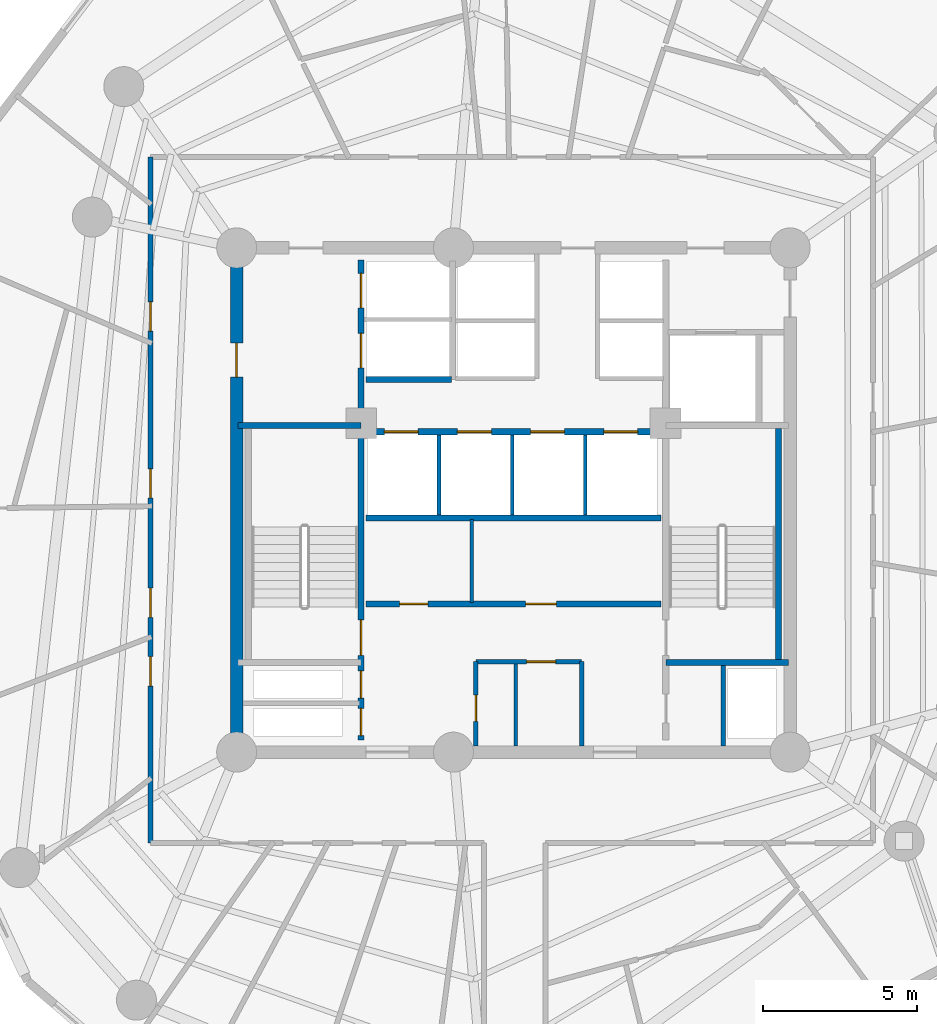
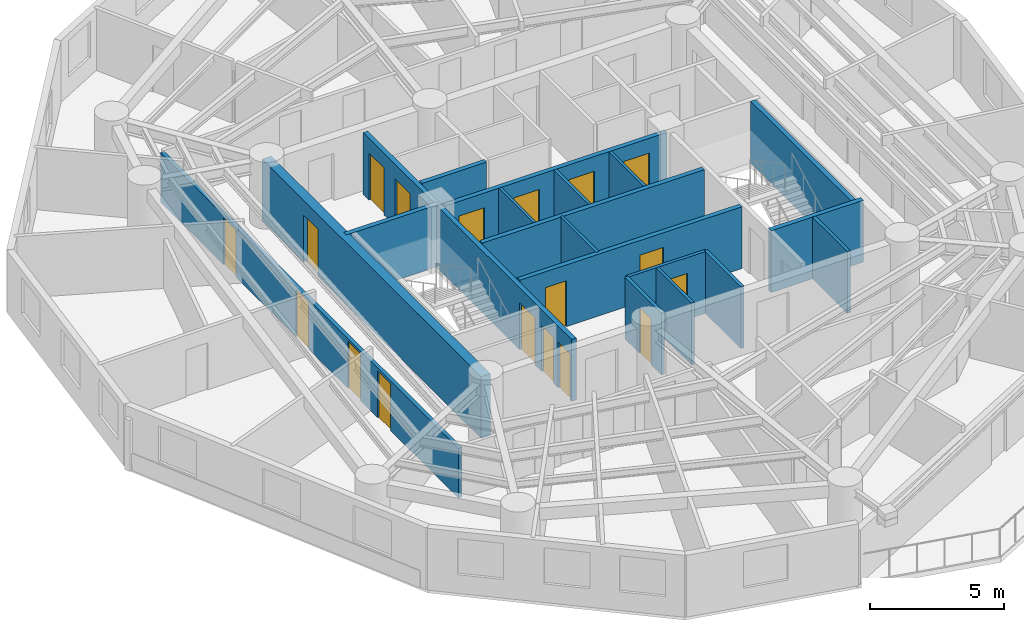
# One storey, part 4 of 10: 19 walls, 18 doors, 18 openings.
"""IFC4 building model written with IfcOpenShell, lengths in metres."""

from ifc_helpers import new_model, si_unit, direction, frame, frame_2d, origin, origin_with_axes, place, context, subcontext, project, spatial, rectangle, extrude, source, transform, mapped, material, layer, layer_set, type_object, element, fill, save


model = new_model("IFC4")

# Units and contexts
model_context = context("Model", 3, precision=1e-05, world=origin(), true_north=direction((0.0, 1.0)))
body_context = subcontext(model_context, "Body", "Model", "MODEL_VIEW")
ifc_project = project(units=[si_unit("LENGTHUNIT", "METRE"), si_unit("AREAUNIT", "SQUARE_METRE"), si_unit("VOLUMEUNIT", "CUBIC_METRE"), si_unit("PLANEANGLEUNIT", "RADIAN"), si_unit("MASSUNIT", "GRAM", prefix="KILO")], contexts=[model_context])

# Site, building, storey
site_placement = place(None, origin())
site = spatial("IfcSite", under=ifc_project, at=site_placement, CompositionType="ELEMENT")
building_placement = place(site_placement, origin())
building = spatial("IfcBuilding", under=site, at=building_placement, Name="Karkom Vertical University and Central Library", CompositionType="ELEMENT")
storey_placement = place(building_placement, frame((0.0, 0.0, 171.800048828125)))
storey = spatial("IfcBuildingStorey", under=building, at=storey_placement, Name="L49", CompositionType="ELEMENT", Elevation=171.800048828125)

# Wall, openings, doors
ifc_material_1 = material(Name="Insulated metal-stud drywall 160mm", Category="gypsum")
ifc_layer_1 = layer(ifc_material_1, 0.159912109375)
ifc_layer_set_1 = layer_set([ifc_layer_1], Name="Insulated metal-stud drywall 160mm")
wall_type_1 = type_object("IfcWallType", Name="INT-WL-COR-160", PredefinedType="PARTITIONING", material=ifc_layer_set_1)
wall_1_placement = place(storey_placement, frame((16.699951171875, 15.35009765625, 0.0), z_axis=(0.0, 0.0, 1.0), x_axis=(0.0, 1.0, 0.0)))
wall_1 = element("IfcWall", 1, at=wall_1_placement, inside=storey, type_object=wall_type_1, Name="Level 49 Interior Partition Wall L49-CORW-CW-002", PredefinedType="PARTITIONING", context=body_context, shape_type="SweptSolid", body=[
    extrude(rectangle(XDim=22.2998046875, YDim=0.159912109375, at=frame_2d((11.14990234375, 0.0))), origin(), (0.0, 0.0, 1.0), 2.27490234375),
])
opening_1_placement = place(wall_1_placement, frame((7.330078125, 0.0, 0.0)))
opening_1 = element("IfcOpeningElement", 2, at=opening_1_placement, cuts=wall_1, Name="Opening D-RM1", PredefinedType="OPENING", context=body_context, shape_type="SweptSolid", body=[
    extrude(rectangle(XDim=0.949951171875, YDim=2.14990234375, at=frame_2d((0.47509765625, 1.074951171875))), frame((0.0, 0.08984375, 0.0), z_axis=(0.0, -1.0, 0.0), x_axis=(1.0, 0.0, 0.0)), (0.0, 0.0, 1.0), 0.179931640625),
])
opening_2_placement = place(wall_1_placement, frame((5.10009765625, 0.0, 0.0)))
opening_2 = element("IfcOpeningElement", 3, at=opening_2_placement, cuts=wall_1, Name="Opening FD-RM2", PredefinedType="OPENING", context=body_context, shape_type="SweptSolid", body=[
    extrude(rectangle(XDim=0.9599609375, YDim=2.14990234375, at=frame_2d((0.47998046875, 1.074951171875))), frame((0.0, 0.08984375, 0.0), z_axis=(0.0, -1.0, 0.0), x_axis=(1.0, 0.0, 0.0)), (0.0, 0.0, 1.0), 0.179931640625),
])
opening_3_placement = place(wall_1_placement, frame((16.639892578125, 0.0, 0.0)))
opening_3 = element("IfcOpeningElement", 4, at=opening_3_placement, cuts=wall_1, Name="Opening D-RM1", PredefinedType="OPENING", context=body_context, shape_type="SweptSolid", body=[
    extrude(rectangle(XDim=0.949951171875, YDim=2.14990234375, at=frame_2d((0.47509765625, 1.074951171875))), frame((0.0, 0.08984375, 0.0), z_axis=(0.0, -1.0, 0.0), x_axis=(1.0, 0.0, 0.0)), (0.0, 0.0, 1.0), 0.179931640625),
])
opening_4_placement = place(wall_1_placement, frame((11.215087890625, 0.0, 0.0)))
opening_4 = element("IfcOpeningElement", 5, at=opening_4_placement, cuts=wall_1, Name="Opening D-RM1", PredefinedType="OPENING", context=body_context, shape_type="SweptSolid", body=[
    extrude(rectangle(XDim=0.949951171875, YDim=2.14990234375, at=frame_2d((0.47509765625, 1.074951171875))), frame((0.0, 0.08984375, 0.0), z_axis=(0.0, -1.0, 0.0), x_axis=(1.0, 0.0, 0.0)), (0.0, 0.0, 1.0), 0.179931640625),
])
ifc_material_2 = material(Name="Fire-rated oak veneer door", Category="wood")
door_type_1 = type_object("IfcDoorType", Name="INT-DR-FRM2", OperationType="NOTDEFINED", PredefinedType="DOOR", material=ifc_material_2)
shared_shape_1 = source(origin_with_axes(), body_context, "Body", "SweptSolid", [
    extrude(rectangle(XDim=0.9599609375, YDim=2.14990234375, at=frame_2d((0.47998046875, 1.074951171875))), frame((0.0, 0.02490234375, 0.0), z_axis=(0.0, -1.0, 0.0), x_axis=(1.0, 0.0, 0.0)), (0.0, 0.0, 1.0), 0.050048828125),
])
door_1_placement = place(opening_2_placement, origin())
door_1 = element("IfcDoor", 6, at=door_1_placement, inside=storey, type_object=door_type_1, Name="Level 49 Room Entry Door 010", OperationType="SINGLE_SWING_LEFT", OverallHeight=2.14990234375, OverallWidth=0.9599609375, PredefinedType="DOOR", context=body_context, shape_type="MappedRepresentation", body=[
    mapped(shared_shape_1, transform((0.0, 0.0, 0.0), scale=1.0)),
])
fill(opening_2, door_1)
ifc_material_3 = material(Name="Solid-core oak veneer door", Category="wood")
door_type_2 = type_object("IfcDoorType", Name="INT-DR-RM1", OperationType="NOTDEFINED", PredefinedType="DOOR", material=ifc_material_3)
shared_shape_2 = source(origin_with_axes(), body_context, "Body", "SweptSolid", [
    extrude(rectangle(XDim=0.949951171875, YDim=2.14990234375, at=frame_2d((0.47509765625, 1.074951171875))), frame((0.0, 0.02490234375, 0.0), z_axis=(0.0, -1.0, 0.0), x_axis=(1.0, 0.0, 0.0)), (0.0, 0.0, 1.0), 0.050048828125),
])
door_2_placement = place(opening_1_placement, origin())
door_2 = element("IfcDoor", 7, at=door_2_placement, inside=storey, type_object=door_type_2, Name="Level 49 Room Entry Door 000", OperationType="SINGLE_SWING_RIGHT", OverallHeight=2.14990234375, OverallWidth=0.949951171875, PredefinedType="DOOR", context=body_context, shape_type="MappedRepresentation", body=[
    mapped(shared_shape_2, transform((0.0, 0.0, 0.0), scale=1.0)),
])
fill(opening_1, door_2)
door_3_placement = place(opening_3_placement, origin())
door_3 = element("IfcDoor", 8, at=door_3_placement, inside=storey, type_object=door_type_2, Name="Level 49 Room Entry Door 230", OperationType="SINGLE_SWING_LEFT", OverallHeight=2.14990234375, OverallWidth=0.949951171875, PredefinedType="DOOR", context=body_context, shape_type="MappedRepresentation", body=[
    mapped(shared_shape_2, transform((0.0, 0.0, 0.0), scale=1.0)),
])
fill(opening_3, door_3)
door_4_placement = place(opening_4_placement, origin())
door_4 = element("IfcDoor", 9, at=door_4_placement, inside=storey, type_object=door_type_2, Name="Level 49 Room Entry Door 250", OperationType="SINGLE_SWING_RIGHT", OverallHeight=2.14990234375, OverallWidth=0.949951171875, PredefinedType="DOOR", context=body_context, shape_type="MappedRepresentation", body=[
    mapped(shared_shape_2, transform((0.0, 0.0, 0.0), scale=1.0)),
])
fill(opening_4, door_4)

# Walls
ifc_material_4 = material(Name="Moisture-resistant drywall 120mm", Category="gypsum")
ifc_layer_2 = layer(ifc_material_4, 0.1201171875)
ifc_layer_set_2 = layer_set([ifc_layer_2], Name="Moisture-resistant drywall 120mm")
wall_type_2 = type_object("IfcWallType", Name="INT-WL-INT-120", PredefinedType="PARTITIONING", material=ifc_layer_set_2)
wall_2_placement = place(storey_placement, frame((27.14990234375, 23.169921875, 0.0), z_axis=(0.0, 0.0, 1.0), x_axis=(0.0, 1.0, 0.0)))
element("IfcWall", 10, at=wall_2_placement, inside=storey, type_object=wall_type_2, Name="Level 49 Interior Partition Wall L49-CW-B1-K2", PredefinedType="PARTITIONING", context=body_context, shape_type="SweptSolid", body=[
    extrude(rectangle(XDim=2.7001953125, YDim=0.1201171875, at=frame_2d((1.35009765625, 0.0))), origin(), (0.0, 0.0, 1.0), 2.824951171875),
])
wall_3_placement = place(storey_placement, frame((28.580078125, 18.507080078125, 0.0), z_axis=(0.0, 0.0, 1.0), x_axis=(0.0, 1.0, 0.0)))
element("IfcWall", 11, at=wall_3_placement, inside=storey, type_object=wall_type_2, Name="Level 49 Interior Partition Wall L49-CW-K2-DIV", PredefinedType="PARTITIONING", context=body_context, shape_type="SweptSolid", body=[
    extrude(rectangle(XDim=2.66162109375, YDim=0.1201171875, at=frame_2d((1.330810546875, 0.0))), origin(), (0.0, 0.0, 1.0), 2.824951171875),
])
ifc_layer_3 = layer(ifc_material_4, 0.1201171875)
ifc_layer_set_3 = layer_set([ifc_layer_3], Name="Moisture-resistant drywall 120mm")
wall_type_3 = type_object("IfcWallType", Name="INT-WL-INT-120H", PredefinedType="PARTITIONING", material=ifc_layer_set_3)
for number, where, z_axis, x_axis, name in (
    (12, (26.080078125, 26.02001953125, 0.0), (0.0, 0.0, 1.0), (0.0, 1.0, 0.0), "Level 49 Interior Partition Wall L49-CW-PM-DIV1"),
    (13, (28.4599609375, 26.02001953125, 0.0), (0.0, 0.0, 1.0), (0.0, 1.0, 0.0), "Level 49 Interior Partition Wall L49-CW-PM-DIV2"),
    (14, (30.840087890625, 26.02001953125, 0.0), (0.0, 0.0, 1.0), (0.0, 1.0, 0.0), "Level 49 Interior Partition Wall L49-CW-PM-DIV3"),
):
    element("IfcWall", number, at=place(storey_placement, frame(where, z_axis=z_axis, x_axis=x_axis)), inside=storey, type_object=wall_type_3, Name=name, PredefinedType="PARTITIONING", context=body_context, shape_type="SweptSolid", body=[
        extrude(rectangle(XDim=2.60009765625, YDim=0.1201171875, at=frame_2d((1.300048828125, 0.0))), origin(), (0.0, 0.0, 1.0), 2.824951171875),
    ])

# Wall, opening, door
ifc_material_5 = material(Name="Metal-stud gypsum partition 140mm", Category="gypsum")
ifc_layer_4 = layer(ifc_material_5, 0.139892578125)
ifc_layer_set_4 = layer_set([ifc_layer_4], Name="Metal-stud gypsum partition 140mm")
wall_type_4 = type_object("IfcWallType", Name="INT-WL-SUB-140", PredefinedType="PARTITIONING", material=ifc_layer_set_4)
wall_4_placement = place(storey_placement, frame((27.280029296875, 21.239990234375, 0.0), z_axis=(0.0, 0.0, 1.0), x_axis=(1.0, 0.0, 0.0)))
wall_4 = element("IfcWall", 15, at=wall_4_placement, inside=storey, type_object=wall_type_4, Name="Level 49 Interior Partition Wall L49-CW-KBAY-N", PredefinedType="PARTITIONING", context=body_context, shape_type="SweptSolid", body=[
    extrude(rectangle(XDim=3.43994140625, YDim=0.139892578125, at=frame_2d((1.719970703125, 0.0))), origin(), (0.0, 0.0, 1.0), 2.824951171875),
])
opening_5_placement = place(wall_4_placement, frame((1.64990234375, 0.0, 0.0)))
opening_5 = element("IfcOpeningElement", 16, at=opening_5_placement, cuts=wall_4, Name="Opening D-WC1", PredefinedType="OPENING", context=body_context, shape_type="SweptSolid", body=[
    extrude(rectangle(XDim=0.93994140625, YDim=2.10009765625, at=frame_2d((0.469970703125, 1.050048828125))), frame((0.0, 0.080078125, 0.0), z_axis=(0.0, -1.0, 0.0), x_axis=(1.0, 0.0, 0.0)), (0.0, 0.0, 1.0), 0.159912109375),
])
ifc_material_6 = material(Name="Fire-rated laminate moisture-resistant door", Category="wood")
door_type_3 = type_object("IfcDoorType", Name="INT-DR-WC1", OperationType="NOTDEFINED", PredefinedType="DOOR", material=ifc_material_6)
shared_shape_3 = source(origin_with_axes(), body_context, "Body", "SweptSolid", [
    extrude(rectangle(XDim=0.93994140625, YDim=2.10009765625, at=frame_2d((0.469970703125, 1.050048828125))), frame((0.0, 0.02490234375, 0.0), z_axis=(0.0, -1.0, 0.0), x_axis=(1.0, 0.0, 0.0)), (0.0, 0.0, 1.0), 0.050048828125),
])
door_5_placement = place(opening_5_placement, origin())
door_5 = element("IfcDoor", 17, at=door_5_placement, inside=storey, type_object=door_type_3, Name="Level 49 Staff WC Door", OperationType="SINGLE_SWING_RIGHT", OverallHeight=2.10009765625, OverallWidth=0.93994140625, PredefinedType="DOOR", context=body_context, shape_type="MappedRepresentation", body=[
    mapped(shared_shape_3, transform((0.0, 0.0, 0.0), scale=1.0)),
])
fill(opening_5, door_5)

wall_5_placement = place(storey_placement, frame((27.280029296875, 18.507080078125, 0.0), z_axis=(0.0, 0.0, 1.0), x_axis=(0.0, 1.0, 0.0)))
wall_5 = element("IfcWall", 18, at=wall_5_placement, inside=storey, type_object=wall_type_4, Name="Level 49 Interior Partition Wall L49-CW-KBAY-W", PredefinedType="PARTITIONING", context=body_context, shape_type="SweptSolid", body=[
    extrude(rectangle(XDim=2.73291015625, YDim=0.139892578125, at=frame_2d((1.366455078125, 0.0))), origin(), (0.0, 0.0, 1.0), 2.824951171875),
])
opening_6_placement = place(wall_5_placement, frame((0.7900390625, 0.0, 0.0)))
opening_6 = element("IfcOpeningElement", 19, at=opening_6_placement, cuts=wall_5, Name="Opening D-BATH", PredefinedType="OPENING", context=body_context, shape_type="SweptSolid", body=[
    extrude(rectangle(XDim=0.860107421875, YDim=2.10009765625, at=frame_2d((0.43017578125, 1.050048828125))), frame((0.0, 0.080078125, 0.0), z_axis=(0.0, -1.0, 0.0), x_axis=(1.0, 0.0, 0.0)), (0.0, 0.0, 1.0), 0.159912109375),
])
ifc_material_7 = material(Name="Moisture-resistant oak door", Category="wood")
door_type_4 = type_object("IfcDoorType", Name="INT-DR-BATH", OperationType="NOTDEFINED", PredefinedType="DOOR", material=ifc_material_7)
shared_shape_4 = source(origin_with_axes(), body_context, "Body", "SweptSolid", [
    extrude(rectangle(XDim=0.860107421875, YDim=2.10009765625, at=frame_2d((0.43017578125, 1.050048828125))), frame((0.0, 0.02490234375, 0.0), z_axis=(0.0, -1.0, 0.0), x_axis=(1.0, 0.0, 0.0)), (0.0, 0.0, 1.0), 0.050048828125),
])
door_6_placement = place(opening_6_placement, origin())
door_6 = element("IfcDoor", 20, at=door_6_placement, inside=storey, type_object=door_type_4, Name="Level 49 Cleaners Store Door", OperationType="SINGLE_SWING_LEFT", OverallHeight=2.10009765625, OverallWidth=0.860107421875, PredefinedType="DOOR", context=body_context, shape_type="MappedRepresentation", body=[
    mapped(shared_shape_4, transform((0.0, 0.0, 0.0), scale=1.0)),
])
fill(opening_6, door_6)

# Walls
wall_6_placement = place(storey_placement, frame((30.719970703125, 18.507080078125, 0.0), z_axis=(0.0, 0.0, 1.0), x_axis=(0.0, 1.0, 0.0)))
element("IfcWall", 21, at=wall_6_placement, inside=storey, type_object=wall_type_4, Name="Level 49 Interior Partition Wall L49-CW-KBAY-E", PredefinedType="PARTITIONING", context=body_context, shape_type="SweptSolid", body=[
    extrude(rectangle(XDim=2.73291015625, YDim=0.139892578125, at=frame_2d((1.366455078125, 0.0))), origin(), (0.0, 0.0, 1.0), 2.824951171875),
])
ifc_layer_5 = layer(ifc_material_5, 0.139892578125)
ifc_layer_set_5 = layer_set([ifc_layer_5], Name="Metal-stud gypsum partition 140mm")
wall_type_5 = type_object("IfcWallType", Name="INT-WL-SUB-140H", PredefinedType="PARTITIONING", material=ifc_layer_set_5)
wall_7_placement = place(storey_placement, frame((35.320068359375, 18.507080078125, 0.0), z_axis=(0.0, 0.0, 1.0), x_axis=(0.0, 1.0, 0.0)))
element("IfcWall", 22, at=wall_7_placement, inside=storey, type_object=wall_type_5, Name="Level 49 Interior Partition Wall L49-CW-RIS-E", PredefinedType="PARTITIONING", context=body_context, shape_type="SweptSolid", body=[
    extrude(rectangle(XDim=2.603759765625, YDim=0.139892578125, at=frame_2d((1.3017578125, 0.0))), origin(), (0.0, 0.0, 1.0), 2.824951171875),
])

# Wall, opening, door
ifc_material_8 = material(Name="Concrete C50/60", Category="concrete")
ifc_layer_6 = layer(ifc_material_8, 0.39990234375)
ifc_layer_set_6 = layer_set([ifc_layer_6], Name="Concrete C50/60")
wall_type_6 = type_object("IfcWallType", Name="STR-WL-CW-400", PredefinedType="SHEAR", material=ifc_layer_set_6)
wall_8_placement = place(storey_placement, frame((19.5, 34.699951171875, 0.0), z_axis=(0.0, 0.0, 1.0), x_axis=(0.0, -1.0, 0.0)))
wall_8 = element("IfcWall", 23, at=wall_8_placement, inside=storey, type_object=wall_type_6, Name="Level 49 Central Core Shear Wall WW", PredefinedType="SHEAR", context=body_context, shape_type="SweptSolid", body=[
    extrude(rectangle(XDim=16.39990234375, YDim=0.39990234375, at=frame_2d((8.199951171875, 0.0))), origin(), (0.0, 0.0, 1.0), 2.824951171875),
])
opening_7_placement = place(wall_8_placement, frame((3.10009765625, 0.0, 0.0)))
opening_7 = element("IfcOpeningElement", 24, at=opening_7_placement, cuts=wall_8, Name="Opening FD-FFL", PredefinedType="OPENING", context=body_context, shape_type="SweptSolid", body=[
    extrude(rectangle(XDim=1.10009765625, YDim=2.14990234375, at=frame_2d((0.550048828125, 1.074951171875))), frame((0.0, 0.2099609375, 0.0), z_axis=(0.0, -1.0, 0.0), x_axis=(1.0, 0.0, 0.0)), (0.0, 0.0, 1.0), 0.419921875),
])
ifc_material_9 = material(Name="Painted steel smoke-seal fire door", Category="steel")
door_type_5 = type_object("IfcDoorType", Name="INT-DR-FFL", OperationType="NOTDEFINED", PredefinedType="DOOR", material=ifc_material_9)
shared_shape_5 = source(origin_with_axes(), body_context, "Body", "SweptSolid", [
    extrude(rectangle(XDim=1.10009765625, YDim=2.14990234375, at=frame_2d((0.550048828125, 1.074951171875))), frame((0.0, 0.02490234375, 0.0), z_axis=(0.0, -1.0, 0.0), x_axis=(1.0, 0.0, 0.0)), (0.0, 0.0, 1.0), 0.050048828125),
])
door_7_placement = place(opening_7_placement, origin())
door_7 = element("IfcDoor", 25, at=door_7_placement, inside=storey, type_object=door_type_5, Name="Level 49 West Corridor Firefighting Lobby Door", OperationType="SINGLE_SWING_LEFT", OverallHeight=2.14990234375, OverallWidth=1.10009765625, PredefinedType="DOOR", context=body_context, shape_type="MappedRepresentation", body=[
    mapped(shared_shape_5, transform((0.0, 0.0, 0.0), scale=1.0)),
])
fill(opening_7, door_7)

# Wall, openings, doors
ifc_material_10 = material(Name="Concrete C45/55", Category="concrete")
ifc_layer_7 = layer(ifc_material_10, 0.199951171875)
ifc_layer_set_7 = layer_set([ifc_layer_7], Name="Concrete C45/55")
wall_type_7 = type_object("IfcWallType", Name="STR-WL-ST-200", PredefinedType="SHEAR", material=ifc_layer_set_7)
wall_9_placement = place(storey_placement, frame((23.544921875, 18.699951171875, 0.0), z_axis=(0.0, 0.0, 1.0), x_axis=(0.0, 1.0, 0.0)))
wall_9 = element("IfcWall", 26, at=wall_9_placement, inside=storey, type_object=wall_type_7, Name="Level 49 Core Shaft Wall L49-CW-ST1-E", PredefinedType="SHEAR", context=body_context, shape_type="SweptSolid", body=[
    extrude(rectangle(XDim=15.60009765625, YDim=0.199951171875, at=frame_2d((7.800048828125, 0.0))), origin(), (0.0, 0.0, 1.0), 2.824951171875),
])
opening_8_placement = place(wall_9_placement, frame((2.75, 0.0, 0.0)))
opening_8 = element("IfcOpeningElement", 27, at=opening_8_placement, cuts=wall_9, Name="Opening FD-ST1", PredefinedType="OPENING", context=body_context, shape_type="SweptSolid", body=[
    extrude(rectangle(XDim=1.14990234375, YDim=2.14990234375, at=frame_2d((0.574951171875, 1.074951171875))), frame((0.0, 0.10986328125, 0.0), z_axis=(0.0, -1.0, 0.0), x_axis=(1.0, 0.0, 0.0)), (0.0, 0.0, 1.0), 0.219970703125),
])
opening_9_placement = place(wall_9_placement, frame((0.139892578125, 0.0, 0.0)))
opening_9 = element("IfcOpeningElement", 28, at=opening_9_placement, cuts=wall_9, Name="Opening FD-RIS", PredefinedType="OPENING", context=body_context, shape_type="SweptSolid", body=[
    extrude(rectangle(XDim=0.8798828125, YDim=2.10009765625, at=frame_2d((0.43994140625, 1.050048828125))), frame((0.0, 0.10986328125, 0.0), z_axis=(0.0, -1.0, 0.0), x_axis=(1.0, 0.0, 0.0)), (0.0, 0.0, 1.0), 0.219970703125),
])
opening_10_placement = place(wall_9_placement, frame((1.360107421875, 0.0, 0.0)))
opening_10 = element("IfcOpeningElement", 29, at=opening_10_placement, cuts=wall_9, Name="Opening FD-RIS", PredefinedType="OPENING", context=body_context, shape_type="SweptSolid", body=[
    extrude(rectangle(XDim=0.8798828125, YDim=2.10009765625, at=frame_2d((0.43994140625, 1.050048828125))), frame((0.0, 0.10986328125, 0.0), z_axis=(0.0, -1.0, 0.0), x_axis=(1.0, 0.0, 0.0)), (0.0, 0.0, 1.0), 0.219970703125),
])
opening_11_placement = place(wall_9_placement, frame((12.10009765625, 0.0, 0.0)))
opening_11 = element("IfcOpeningElement", 30, at=opening_11_placement, cuts=wall_9, Name="Opening LD-FFL", PredefinedType="OPENING", context=body_context, shape_type="SweptSolid", body=[
    extrude(rectangle(XDim=1.1201171875, YDim=2.14990234375, at=frame_2d((0.56005859375, 1.074951171875))), frame((0.0, 0.10986328125, 0.0), z_axis=(0.0, -1.0, 0.0), x_axis=(1.0, 0.0, 0.0)), (0.0, 0.0, 1.0), 0.219970703125),
])
opening_12_placement = place(wall_9_placement, frame((14.050048828125, 0.0, 0.0)))
opening_12 = element("IfcOpeningElement", 31, at=opening_12_placement, cuts=wall_9, Name="Opening LD-FFL", PredefinedType="OPENING", context=body_context, shape_type="SweptSolid", body=[
    extrude(rectangle(XDim=1.1201171875, YDim=2.14990234375, at=frame_2d((0.56005859375, 1.074951171875))), frame((0.0, 0.10986328125, 0.0), z_axis=(0.0, -1.0, 0.0), x_axis=(1.0, 0.0, 0.0)), (0.0, 0.0, 1.0), 0.219970703125),
])
ifc_material_11 = material(Name="Painted steel acoustic fire door", Category="steel")
door_type_6 = type_object("IfcDoorType", Name="INT-DR-ST1", OperationType="NOTDEFINED", PredefinedType="DOOR", material=ifc_material_11)
shared_shape_6 = source(origin_with_axes(), body_context, "Body", "SweptSolid", [
    extrude(rectangle(XDim=1.14990234375, YDim=2.14990234375, at=frame_2d((0.574951171875, 1.074951171875))), frame((0.0, 0.02490234375, 0.0), z_axis=(0.0, -1.0, 0.0), x_axis=(1.0, 0.0, 0.0)), (0.0, 0.0, 1.0), 0.050048828125),
])
door_8_placement = place(opening_8_placement, origin())
door_8 = element("IfcDoor", 32, at=door_8_placement, inside=storey, type_object=door_type_6, Name="Level 49 Stair ST-1 Fire Door", OperationType="SINGLE_SWING_RIGHT", OverallHeight=2.14990234375, OverallWidth=1.14990234375, PredefinedType="DOOR", context=body_context, shape_type="MappedRepresentation", body=[
    mapped(shared_shape_6, transform((0.0, 0.0, 0.0), scale=1.0)),
])
fill(opening_8, door_8)
ifc_material_12 = material(Name="Painted steel riser access door", Category="steel")
door_type_7 = type_object("IfcDoorType", Name="INT-DR-RIS", OperationType="NOTDEFINED", PredefinedType="DOOR", material=ifc_material_12)
shared_shape_7 = source(origin_with_axes(), body_context, "Body", "SweptSolid", [
    extrude(rectangle(XDim=0.8798828125, YDim=2.10009765625, at=frame_2d((0.43994140625, 1.050048828125))), frame((0.0, 0.02490234375, 0.0), z_axis=(0.0, -1.0, 0.0), x_axis=(1.0, 0.0, 0.0)), (0.0, 0.0, 1.0), 0.050048828125),
])
door_9_placement = place(opening_9_placement, origin())
door_9 = element("IfcDoor", 33, at=door_9_placement, inside=storey, type_object=door_type_7, Name="Level 49 Electrical Riser Access Door", OperationType="SINGLE_SWING_RIGHT", OverallHeight=2.10009765625, OverallWidth=0.8798828125, PredefinedType="DOOR", context=body_context, shape_type="MappedRepresentation", body=[
    mapped(shared_shape_7, transform((0.0, 0.0, 0.0), scale=1.0)),
])
fill(opening_9, door_9)
door_10_placement = place(opening_10_placement, origin())
door_10 = element("IfcDoor", 34, at=door_10_placement, inside=storey, type_object=door_type_7, Name="Level 49 Telecom Riser Access Door", OperationType="SINGLE_SWING_LEFT", OverallHeight=2.10009765625, OverallWidth=0.8798828125, PredefinedType="DOOR", context=body_context, shape_type="MappedRepresentation", body=[
    mapped(shared_shape_7, transform((0.0, 0.0, 0.0), scale=1.0)),
])
fill(opening_10, door_10)
ifc_material_13 = material(Name="Fire-rated stainless-steel landing door", Category="steel")
door_type_8 = type_object("IfcDoorType", Name="INT-DR-LD-FFL", OperationType="SLIDING_TO_LEFT", PredefinedType="DOOR", material=ifc_material_13)
shared_shape_8 = source(origin_with_axes(), body_context, "Body", "SweptSolid", [
    extrude(rectangle(XDim=1.1201171875, YDim=2.14990234375, at=frame_2d((0.56005859375, 1.074951171875))), frame((0.0, 0.02490234375, 0.0), z_axis=(0.0, -1.0, 0.0), x_axis=(1.0, 0.0, 0.0)), (0.0, 0.0, 1.0), 0.050048828125),
])
door_11_placement = place(opening_11_placement, origin())
door_11 = element("IfcDoor", 35, at=door_11_placement, inside=storey, type_object=door_type_8, Name="Level 49 Firefighting Lift FFL-1 Landing Door", OperationType="SLIDING_TO_LEFT", OverallHeight=2.14990234375, OverallWidth=1.1201171875, PredefinedType="DOOR", context=body_context, shape_type="MappedRepresentation", body=[
    mapped(shared_shape_8, transform((0.0, 0.0, 0.0), scale=1.0)),
])
fill(opening_11, door_11)
door_12_placement = place(opening_12_placement, origin())
door_12 = element("IfcDoor", 36, at=door_12_placement, inside=storey, type_object=door_type_8, Name="Level 49 Firefighting Lift FFL-2 Landing Door", OperationType="SLIDING_TO_RIGHT", OverallHeight=2.14990234375, OverallWidth=1.1201171875, PredefinedType="DOOR", context=body_context, shape_type="MappedRepresentation", body=[
    mapped(shared_shape_8, transform((0.0, 0.0, 0.0), scale=1.0)),
])
fill(opening_12, door_12)

wall_10_placement = place(storey_placement, frame((23.699951171875, 23.1201171875, 0.0), z_axis=(0.0, 0.0, 1.0), x_axis=(1.0, 0.0, 0.0)))
wall_10 = element("IfcWall", 37, at=wall_10_placement, inside=storey, type_object=wall_type_7, Name="Level 49 Core Shaft Wall L49-CW-B1-S", PredefinedType="SHEAR", context=body_context, shape_type="SweptSolid", body=[
    extrude(rectangle(XDim=9.60009765625, YDim=0.199951171875, at=frame_2d((4.800048828125, 0.0))), origin(), (0.0, 0.0, 1.0), 2.824951171875),
])
opening_13_placement = place(wall_10_placement, frame((1.10009765625, 0.0, 0.0)))
opening_13 = element("IfcOpeningElement", 38, at=opening_13_placement, cuts=wall_10, Name="Opening D-SVC1", PredefinedType="OPENING", context=body_context, shape_type="SweptSolid", body=[
    extrude(rectangle(XDim=0.919921875, YDim=2.10009765625, at=frame_2d((0.4599609375, 1.050048828125))), frame((0.0, 0.10986328125, 0.0), z_axis=(0.0, -1.0, 0.0), x_axis=(1.0, 0.0, 0.0)), (0.0, 0.0, 1.0), 0.219970703125),
])
opening_14_placement = place(wall_10_placement, frame((5.199951171875, 0.0, 0.0)))
opening_14 = element("IfcOpeningElement", 39, at=opening_14_placement, cuts=wall_10, Name="Opening D-STR1", PredefinedType="OPENING", context=body_context, shape_type="SweptSolid", body=[
    extrude(rectangle(XDim=1.0, YDim=2.14990234375, at=frame_2d((0.5, 1.074951171875))), frame((0.0, 0.10986328125, 0.0), z_axis=(0.0, -1.0, 0.0), x_axis=(1.0, 0.0, 0.0)), (0.0, 0.0, 1.0), 0.219970703125),
])
ifc_material_14 = material(Name="Painted timber service door", Category="wood")
door_type_9 = type_object("IfcDoorType", Name="INT-DR-SVC1", OperationType="NOTDEFINED", PredefinedType="DOOR", material=ifc_material_14)
shared_shape_9 = source(origin_with_axes(), body_context, "Body", "SweptSolid", [
    extrude(rectangle(XDim=0.919921875, YDim=2.10009765625, at=frame_2d((0.4599609375, 1.050048828125))), frame((0.0, 0.02490234375, 0.0), z_axis=(0.0, -1.0, 0.0), x_axis=(1.0, 0.0, 0.0)), (0.0, 0.0, 1.0), 0.050048828125),
])
door_13_placement = place(opening_13_placement, origin())
door_13 = element("IfcDoor", 40, at=door_13_placement, inside=storey, type_object=door_type_9, Name="Level 49 B1 West Store Door", OperationType="SINGLE_SWING_LEFT", OverallHeight=2.10009765625, OverallWidth=0.919921875, PredefinedType="DOOR", context=body_context, shape_type="MappedRepresentation", body=[
    mapped(shared_shape_9, transform((0.0, 0.0, 0.0), scale=1.0)),
])
fill(opening_13, door_13)
ifc_material_15 = material(Name="Solid-core hardwood fire door", Category="wood")
door_type_10 = type_object("IfcDoorType", Name="INT-DR-STR1", OperationType="NOTDEFINED", PredefinedType="DOOR", material=ifc_material_15)
shared_shape_10 = source(origin_with_axes(), body_context, "Body", "SweptSolid", [
    extrude(rectangle(XDim=1.0, YDim=2.14990234375, at=frame_2d((0.5, 1.074951171875))), frame((0.0, 0.02490234375, 0.0), z_axis=(0.0, -1.0, 0.0), x_axis=(1.0, 0.0, 0.0)), (0.0, 0.0, 1.0), 0.050048828125),
])
door_14_placement = place(opening_14_placement, origin())
door_14 = element("IfcDoor", 41, at=door_14_placement, inside=storey, type_object=door_type_10, Name="Level 49 B1 East Plant Door", OperationType="SINGLE_SWING_RIGHT", OverallHeight=2.14990234375, OverallWidth=1.0, PredefinedType="DOOR", context=body_context, shape_type="MappedRepresentation", body=[
    mapped(shared_shape_10, transform((0.0, 0.0, 0.0), scale=1.0)),
])
fill(opening_14, door_14)

# Wall
wall_11_placement = place(storey_placement, frame((23.699951171875, 25.919921875, 0.0), z_axis=(0.0, 0.0, 1.0), x_axis=(1.0, 0.0, 0.0)))
element("IfcWall", 42, at=wall_11_placement, inside=storey, type_object=wall_type_7, Name="Level 49 Core Shaft Wall L49-CW-B1-N", PredefinedType="SHEAR", context=body_context, shape_type="SweptSolid", body=[
    extrude(rectangle(XDim=9.60009765625, YDim=0.199951171875, at=frame_2d((4.800048828125, 0.0))), origin(), (0.0, 0.0, 1.0), 2.824951171875),
])

# Wall, openings, doors
wall_12_placement = place(storey_placement, frame((23.699951171875, 28.719970703125, 0.0), z_axis=(0.0, 0.0, 1.0), x_axis=(1.0, 0.0, 0.0)))
wall_12 = element("IfcWall", 43, at=wall_12_placement, inside=storey, type_object=wall_type_7, Name="Level 49 Core Shaft Wall L49-CW-B2-N", PredefinedType="SHEAR", context=body_context, shape_type="SweptSolid", body=[
    extrude(rectangle(XDim=9.60009765625, YDim=0.199951171875, at=frame_2d((4.800048828125, 0.0))), origin(), (0.0, 0.0, 1.0), 2.824951171875),
])
opening_15_placement = place(wall_12_placement, frame((0.60009765625, 0.0, 0.0)))
opening_15 = element("IfcOpeningElement", 44, at=opening_15_placement, cuts=wall_12, Name="Opening LD-PAX", PredefinedType="OPENING", context=body_context, shape_type="SweptSolid", body=[
    extrude(rectangle(XDim=1.10009765625, YDim=2.14990234375, at=frame_2d((0.550048828125, 1.074951171875))), frame((0.0, 0.10986328125, 0.0), z_axis=(0.0, -1.0, 0.0), x_axis=(1.0, 0.0, 0.0)), (0.0, 0.0, 1.0), 0.219970703125),
])
opening_16_placement = place(wall_12_placement, frame((2.97998046875, 0.0, 0.0)))
opening_16 = element("IfcOpeningElement", 45, at=opening_16_placement, cuts=wall_12, Name="Opening LD-PAX", PredefinedType="OPENING", context=body_context, shape_type="SweptSolid", body=[
    extrude(rectangle(XDim=1.10009765625, YDim=2.14990234375, at=frame_2d((0.550048828125, 1.074951171875))), frame((0.0, 0.10986328125, 0.0), z_axis=(0.0, -1.0, 0.0), x_axis=(1.0, 0.0, 0.0)), (0.0, 0.0, 1.0), 0.219970703125),
])
opening_17_placement = place(wall_12_placement, frame((5.360107421875, 0.0, 0.0)))
opening_17 = element("IfcOpeningElement", 46, at=opening_17_placement, cuts=wall_12, Name="Opening LD-PAX", PredefinedType="OPENING", context=body_context, shape_type="SweptSolid", body=[
    extrude(rectangle(XDim=1.10009765625, YDim=2.14990234375, at=frame_2d((0.550048828125, 1.074951171875))), frame((0.0, 0.10986328125, 0.0), z_axis=(0.0, -1.0, 0.0), x_axis=(1.0, 0.0, 0.0)), (0.0, 0.0, 1.0), 0.219970703125),
])
opening_18_placement = place(wall_12_placement, frame((7.739990234375, 0.0, 0.0)))
opening_18 = element("IfcOpeningElement", 47, at=opening_18_placement, cuts=wall_12, Name="Opening LD-PAX", PredefinedType="OPENING", context=body_context, shape_type="SweptSolid", body=[
    extrude(rectangle(XDim=1.10009765625, YDim=2.14990234375, at=frame_2d((0.550048828125, 1.074951171875))), frame((0.0, 0.10986328125, 0.0), z_axis=(0.0, -1.0, 0.0), x_axis=(1.0, 0.0, 0.0)), (0.0, 0.0, 1.0), 0.219970703125),
])
ifc_material_16 = material(Name="Brushed stainless-steel landing door", Category="steel")
door_type_11 = type_object("IfcDoorType", Name="INT-DR-LD-PAX", OperationType="SLIDING_TO_LEFT", PredefinedType="DOOR", material=ifc_material_16)
door_15_placement = place(opening_15_placement, origin())
door_15 = element("IfcDoor", 48, at=door_15_placement, inside=storey, type_object=door_type_11, Name="Level 49 Lift PM-1 Landing Door", OperationType="SLIDING_TO_LEFT", OverallHeight=2.14990234375, OverallWidth=1.10009765625, PredefinedType="DOOR", context=body_context, shape_type="MappedRepresentation", body=[
    mapped(shared_shape_5, transform((0.0, 0.0, 0.0), scale=1.0)),
])
fill(opening_15, door_15)
door_16_placement = place(opening_16_placement, origin())
door_16 = element("IfcDoor", 49, at=door_16_placement, inside=storey, type_object=door_type_11, Name="Level 49 Lift PM-2 Landing Door", OperationType="SLIDING_TO_RIGHT", OverallHeight=2.14990234375, OverallWidth=1.10009765625, PredefinedType="DOOR", context=body_context, shape_type="MappedRepresentation", body=[
    mapped(shared_shape_5, transform((0.0, 0.0, 0.0), scale=1.0)),
])
fill(opening_16, door_16)
door_17_placement = place(opening_17_placement, origin())
door_17 = element("IfcDoor", 50, at=door_17_placement, inside=storey, type_object=door_type_11, Name="Level 49 Lift PM-3 Landing Door", OperationType="SLIDING_TO_LEFT", OverallHeight=2.14990234375, OverallWidth=1.10009765625, PredefinedType="DOOR", context=body_context, shape_type="MappedRepresentation", body=[
    mapped(shared_shape_5, transform((0.0, 0.0, 0.0), scale=1.0)),
])
fill(opening_17, door_17)
door_18_placement = place(opening_18_placement, origin())
door_18 = element("IfcDoor", 51, at=door_18_placement, inside=storey, type_object=door_type_11, Name="Level 49 Lift PM-4 Landing Door", OperationType="SLIDING_TO_RIGHT", OverallHeight=2.14990234375, OverallWidth=1.10009765625, PredefinedType="DOOR", context=body_context, shape_type="MappedRepresentation", body=[
    mapped(shared_shape_5, transform((0.0, 0.0, 0.0), scale=1.0)),
])
fill(opening_18, door_18)

# Walls
wall_13_placement = place(storey_placement, frame((37.125, 21.320068359375, 0.0), z_axis=(0.0, 0.0, 1.0), x_axis=(0.0, 1.0, 0.0)))
element("IfcWall", 52, at=wall_13_placement, inside=storey, type_object=wall_type_7, Name="Level 49 Core Shaft Wall L49-CW-ST2-E", PredefinedType="SHEAR", context=body_context, shape_type="SweptSolid", body=[
    extrude(rectangle(XDim=7.5, YDim=0.199951171875, at=frame_2d((3.75, 0.0))), origin(), (0.0, 0.0, 1.0), 2.824951171875),
])
for number, where, z_axis, x_axis, name in (
    (53, (33.455078125, 21.215087890625, 0.0), (0.0, 0.0, 1.0), (1.0, 0.0, 0.0), "Level 49 Core Shaft Wall L49-CW-ST2-S"),
    (54, (19.550048828125, 28.925048828125, 0.0), (0.0, 0.0, 1.0), (1.0, 0.0, 0.0), "Level 49 Core Shaft Wall L49-CW-ST1-N"),
):
    element("IfcWall", number, at=place(storey_placement, frame(where, z_axis=z_axis, x_axis=x_axis)), inside=storey, type_object=wall_type_7, Name=name, PredefinedType="SHEAR", context=body_context, shape_type="SweptSolid", body=[
        extrude(rectangle(XDim=3.994873046875, YDim=0.199951171875, at=frame_2d((1.99755859375, 0.0))), origin(), (0.0, 0.0, 1.0), 2.824951171875),
    ])
wall_14_placement = place(storey_placement, frame((23.699951171875, 30.419921875, 0.0), z_axis=(0.0, 0.0, 1.0), x_axis=(1.0, 0.0, 0.0)))
element("IfcWall", 55, at=wall_14_placement, inside=storey, type_object=wall_type_7, Name="Level 49 Core Shaft Wall L49-CW-FFL-S", PredefinedType="SHEAR", context=body_context, shape_type="SweptSolid", body=[
    extrude(rectangle(XDim=2.780029296875, YDim=0.199951171875, at=frame_2d((1.39013671875, 0.0))), origin(), (0.0, 0.0, 1.0), 2.824951171875),
])

save(model, "model.ifc")
